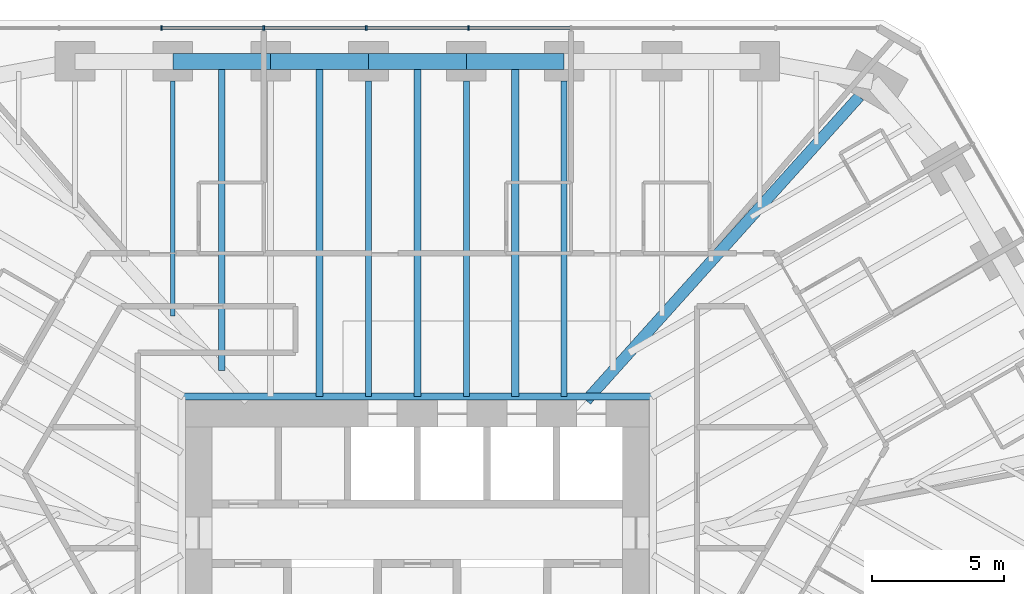
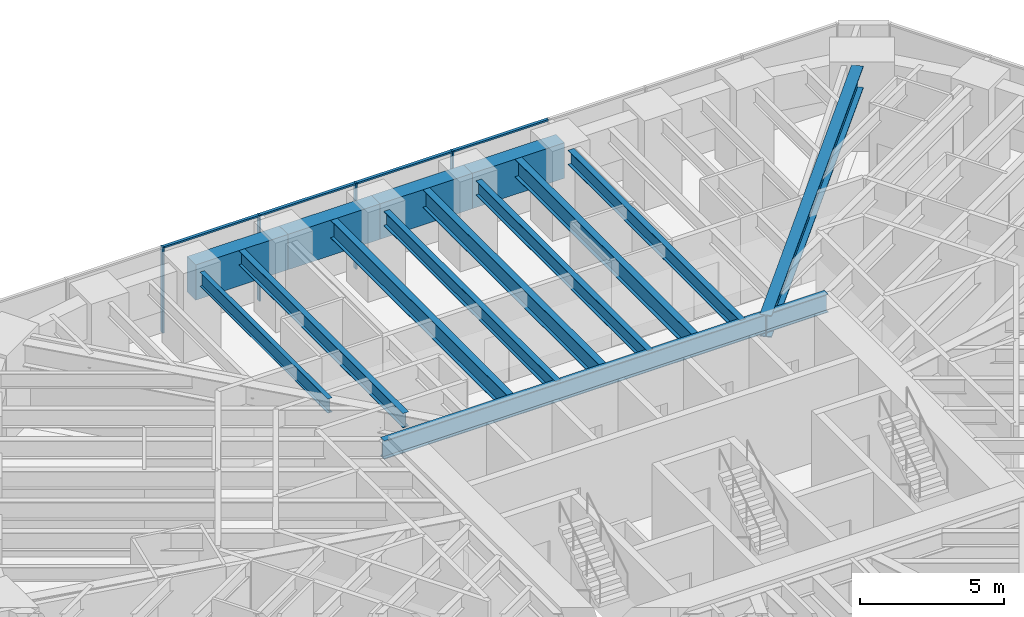
# One storey, part 8 of 17: 14 beams, 8 members, 1 element without a shape of its own.
"""IFC4 building model written with IfcOpenShell, lengths in metres."""

from ifc_helpers import new_model, si_unit, direction, frame, origin, origin_2d, place, context, subcontext, project, spatial, rectangle, i_section, extrude, material, material_profile, profile_set, type_object, element, aggregate, save


model = new_model("IFC4")

# Units and contexts
model_context = context("Model", 3, precision=1e-05, world=origin(), true_north=direction((0.0, 1.0)))
body_context = subcontext(model_context, "Body", "Model", "MODEL_VIEW")
ifc_project = project(units=[si_unit("LENGTHUNIT", "METRE"), si_unit("AREAUNIT", "SQUARE_METRE"), si_unit("VOLUMEUNIT", "CUBIC_METRE"), si_unit("PLANEANGLEUNIT", "RADIAN"), si_unit("MASSUNIT", "GRAM", prefix="KILO")], contexts=[model_context])

# Site, building, storey
site_placement = place(None, origin())
site = spatial("IfcSite", under=ifc_project, at=site_placement, CompositionType="ELEMENT")
building_placement = place(site_placement, origin())
building = spatial("IfcBuilding", under=site, at=building_placement, Name="Sandreach Pilgrim Tower", CompositionType="ELEMENT")
storey_placement = place(building_placement, frame((0.0, 0.0, 213.60009765625)))
storey = spatial("IfcBuildingStorey", under=building, at=storey_placement, Name="L53", CompositionType="ELEMENT", Elevation=213.60009765625)

# Curtain wall, members
ifc_material_1 = material(Name="Aluminium framed curtain wall", Category="aluminium")
curtain_wall_type = type_object("IfcCurtainWallType", Name="Upper hotel tower curtain wall", PredefinedType="NOTDEFINED", material=ifc_material_1)
curtain_wall_placement = place(storey_placement, origin())
curtain_wall = element("IfcCurtainWall", 1, at=curtain_wall_placement, inside=storey, type_object=curtain_wall_type, Name="CW-3 L53 N", PredefinedType="NOTDEFINED")
ifc_material_2 = material(Name="Aluminium extrusion", Category="aluminium")
ifc_material_profile_1 = material_profile(ifc_material_2, rectangle(XDim=0.06494140625, YDim=0.159912109375, at=origin_2d()), Name="CW-3M 65X160")
ifc_profile_set_1 = profile_set([ifc_material_profile_1], Name="Aluminium extrusion")
member_type_1 = type_object("IfcMemberType", Name="CW-3 mullion", PredefinedType="MULLION", material=ifc_profile_set_1)
member_1_placement = place(storey_placement, frame((-9.6611328125, 21.16015625, 0.0), z_axis=(0.0, 0.0, 1.0), x_axis=(1.0, 0.0, 0.0)))
member_1 = element("IfcMember", 2, at=member_1_placement, type_object=member_type_1, Name="CW-3 mullion 3", PredefinedType="MULLION", context=body_context, shape_type="SweptSolid", body=[
    extrude(rectangle(XDim=0.06494140625, YDim=0.159912109375, at=origin_2d()), origin(), (0.0, 0.0, 1.0), 3.639892578125),
])
member_2_placement = place(storey_placement, frame((-5.796630859375, 21.16015625, 0.0), z_axis=(0.0, 0.0, 1.0), x_axis=(1.0, 0.0, 0.0)))
member_2 = element("IfcMember", 3, at=member_2_placement, type_object=member_type_1, Name="CW-3 mullion 4", PredefinedType="MULLION", context=body_context, shape_type="SweptSolid", body=[
    extrude(rectangle(XDim=0.06494140625, YDim=0.159912109375, at=origin_2d()), origin(), (0.0, 0.0, 1.0), 3.639892578125),
])
member_3_placement = place(storey_placement, frame((-1.93212890625, 21.16015625, 0.0), z_axis=(0.0, 0.0, 1.0), x_axis=(1.0, 0.0, 0.0)))
member_3 = element("IfcMember", 4, at=member_3_placement, type_object=member_type_1, Name="CW-3 mullion 5", PredefinedType="MULLION", context=body_context, shape_type="SweptSolid", body=[
    extrude(rectangle(XDim=0.06494140625, YDim=0.159912109375, at=origin_2d()), origin(), (0.0, 0.0, 1.0), 3.639892578125),
])
member_4_placement = place(storey_placement, frame((1.93212890625, 21.16015625, 0.0), z_axis=(0.0, 0.0, 1.0), x_axis=(1.0, 0.0, 0.0)))
member_4 = element("IfcMember", 5, at=member_4_placement, type_object=member_type_1, Name="CW-3 mullion 6", PredefinedType="MULLION", context=body_context, shape_type="SweptSolid", body=[
    extrude(rectangle(XDim=0.06494140625, YDim=0.159912109375, at=origin_2d()), origin(), (0.0, 0.0, 1.0), 3.639892578125),
])
ifc_material_3 = material(Name="Aluminium extrusion", Category="aluminium")
ifc_material_profile_2 = material_profile(ifc_material_3, rectangle(XDim=0.1201171875, YDim=0.070068359375, at=origin_2d()), Name="CW-3T 120X70")
ifc_profile_set_2 = profile_set([ifc_material_profile_2], Name="Aluminium extrusion")
member_type_2 = type_object("IfcMemberType", Name="CW-3 transom", PredefinedType="USERDEFINED", material=ifc_profile_set_2)
member_5_placement = place(storey_placement, frame((-9.628662109375, 21.16015625, 3.60498046875), z_axis=(1.0, 0.0, 0.0), x_axis=(0.0, 1.0, 0.0)))
member_5 = element("IfcMember", 6, at=member_5_placement, type_object=member_type_2, Name="CW-3 head transom 3", ObjectType="TRANSOM", PredefinedType="USERDEFINED", context=body_context, shape_type="SweptSolid", body=[
    extrude(rectangle(XDim=0.1201171875, YDim=0.070068359375, at=origin_2d()), origin(), (0.0, 0.0, 1.0), 3.799560546875),
])
member_6_placement = place(storey_placement, frame((-5.76416015625, 21.16015625, 3.60498046875), z_axis=(1.0, 0.0, 0.0), x_axis=(0.0, 1.0, 0.0)))
member_6 = element("IfcMember", 7, at=member_6_placement, type_object=member_type_2, Name="CW-3 head transom 4", ObjectType="TRANSOM", PredefinedType="USERDEFINED", context=body_context, shape_type="SweptSolid", body=[
    extrude(rectangle(XDim=0.1201171875, YDim=0.070068359375, at=origin_2d()), origin(), (0.0, 0.0, 1.0), 3.799560546875),
])
member_7_placement = place(storey_placement, frame((-1.899658203125, 21.16015625, 3.60498046875), z_axis=(1.0, 0.0, 0.0), x_axis=(0.0, 1.0, 0.0)))
member_7 = element("IfcMember", 8, at=member_7_placement, type_object=member_type_2, Name="CW-3 head transom 5", ObjectType="TRANSOM", PredefinedType="USERDEFINED", context=body_context, shape_type="SweptSolid", body=[
    extrude(rectangle(XDim=0.1201171875, YDim=0.070068359375, at=origin_2d()), origin(), (0.0, 0.0, 1.0), 3.79931640625),
])
member_8_placement = place(storey_placement, frame((1.964599609375, 21.16015625, 3.60498046875), z_axis=(1.0, 0.0, 0.0), x_axis=(0.0, 1.0, 0.0)))
member_8 = element("IfcMember", 9, at=member_8_placement, type_object=member_type_2, Name="CW-3 head transom 6", ObjectType="TRANSOM", PredefinedType="USERDEFINED", context=body_context, shape_type="SweptSolid", body=[
    extrude(rectangle(XDim=0.1201171875, YDim=0.070068359375, at=origin_2d()), origin(), (0.0, 0.0, 1.0), 3.799560546875),
])
aggregate(curtain_wall, [member_1, member_2, member_3, member_4, member_5, member_6, member_7, member_8])

# Beams
ifc_material_4 = material(Name="Steel ASTM A992 Grade 50", Category="steel")
ifc_material_profile_3 = material_profile(ifc_material_4, i_section(OverallWidth=0.2666015625, OverallDepth=0.77978515625, WebThickness=0.0166015625, FlangeThickness=0.030029296875, at=origin_2d()), Name="W30X148")
ifc_profile_set_3 = profile_set([ifc_material_profile_3], Name="Steel ASTM A992 Grade 50")
beam_type_1 = type_object("IfcBeamType", Name="Core edge beam W30X148", PredefinedType="BEAM", material=ifc_profile_set_3)
beam_1_placement = place(storey_placement, frame((-8.893310546875, 7.243408203125, 3.25), z_axis=(1.0, 0.0, 0.0), x_axis=(0.0, 1.0, 0.0)))
element("IfcBeam", 10, at=beam_1_placement, inside=storey, type_object=beam_type_1, Name="BM L53 CEN", PredefinedType="BEAM", context=body_context, shape_type="SweptSolid", body=[
    extrude(i_section(OverallWidth=0.2666015625, OverallDepth=0.77978515625, WebThickness=0.0166015625, FlangeThickness=0.030029296875, at=origin_2d()), origin(), (0.0, 0.0, 1.0), 17.78662109375),
])
ifc_material_5 = material(Name="Steel ASTM A992 Grade 50", Category="steel")
ifc_material_profile_4 = material_profile(ifc_material_5, i_section(OverallWidth=0.421630859375, OverallDepth=0.937255859375, WebThickness=0.0224609375, FlangeThickness=0.039794921875, at=origin_2d()), Name="W36X282")
ifc_profile_set_4 = profile_set([ifc_material_profile_4], Name="Steel ASTM A992 Grade 50")
beam_type_2 = type_object("IfcBeamType", Name="Corner girder W36X282", PredefinedType="BEAM", material=ifc_profile_set_4)
beam_2_placement = place(storey_placement, frame((16.677001953125, 18.572509765625, 3.17138671875), z_axis=(-0.668116607722, -0.744056582853, 0.0), x_axis=(0.744056582853, -0.668116607722, 0.0)))
element("IfcBeam", 11, at=beam_2_placement, inside=storey, type_object=beam_type_2, Name="BM L53 CG09", PredefinedType="BEAM", context=body_context, shape_type="SweptSolid", body=[
    extrude(i_section(OverallWidth=0.421630859375, OverallDepth=0.937255859375, WebThickness=0.0224609375, FlangeThickness=0.039794921875, at=origin_2d()), origin(), (0.0, 0.0, 1.0), 15.418701171875),
])
ifc_material_6 = material(Name="Steel ASTM A992 Grade 50", Category="steel")
ifc_material_profile_5 = material_profile(ifc_material_6, i_section(OverallWidth=0.1787109375, OverallDepth=0.60205078125, WebThickness=0.010986328125, FlangeThickness=0.014892578125, at=origin_2d()), Name="W24X62")
ifc_profile_set_5 = profile_set([ifc_material_profile_5], Name="Steel ASTM A992 Grade 50")
beam_type_3 = type_object("IfcBeamType", Name="Floor beam W24X62", PredefinedType="BEAM", material=ifc_profile_set_5)
beam_3_placement = place(storey_placement, frame((-9.231201171875, 19.150146484375, 3.3388671875), z_axis=(0.0, -1.0, 0.0), x_axis=(1.0, 0.0, 0.0)))
element("IfcBeam", 12, at=beam_3_placement, inside=storey, type_object=beam_type_3, Name="BM L53 F02", PredefinedType="BEAM", context=body_context, shape_type="SweptSolid", body=[
    extrude(i_section(OverallWidth=0.1787109375, OverallDepth=0.60205078125, WebThickness=0.010986328125, FlangeThickness=0.014892578125, at=origin_2d()), origin(), (0.0, 0.0, 1.0), 8.86962890625),
])
ifc_material_7 = material(Name="Steel ASTM A992 Grade 50", Category="steel")
ifc_material_profile_6 = material_profile(ifc_material_7, i_section(OverallWidth=0.23046875, OverallDepth=0.6171875, WebThickness=0.01318359375, FlangeThickness=0.022216796875, at=origin_2d()), Name="W24X94")
ifc_profile_set_6 = profile_set([ifc_material_profile_6], Name="Steel ASTM A992 Grade 50")
beam_type_4 = type_object("IfcBeamType", Name="Floor beam W24X94", PredefinedType="BEAM", material=ifc_profile_set_6)
for number, where, z_axis, x_axis, name in (
    (13, (-1.84619140625, 19.150146484375, 3.331298828125), (0.0, -1.0, 0.0), (1.0, 0.0, 0.0), "BM L53 F04"),
    (14, (1.84619140625, 19.150146484375, 3.331298828125), (0.0, -1.0, 0.0), (1.0, 0.0, 0.0), "BM L53 F05"),
    (15, (5.538818359375, 19.150146484375, 3.331298828125), (0.0, -1.0, 0.0), (1.0, 0.0, 0.0), "BM L53 F06"),
):
    element("IfcBeam", number, at=place(storey_placement, frame(where, z_axis=z_axis, x_axis=x_axis)), inside=storey, type_object=beam_type_4, Name=name, PredefinedType="BEAM", context=body_context, shape_type="SweptSolid", body=[
        extrude(i_section(OverallWidth=0.23046875, OverallDepth=0.6171875, WebThickness=0.01318359375, FlangeThickness=0.022216796875, at=origin_2d()), origin(), (0.0, 0.0, 1.0), 11.90673828125),
    ])
beam_4_placement = place(storey_placement, frame((-7.385009765625, 19.900146484375, 3.331298828125), z_axis=(0.0, -1.0, 0.0), x_axis=(1.0, 0.0, 0.0)))
element("IfcBeam", 16, at=beam_4_placement, inside=storey, type_object=beam_type_4, Name="BM L53 FM02", PredefinedType="BEAM", context=body_context, shape_type="SweptSolid", body=[
    extrude(i_section(OverallWidth=0.23046875, OverallDepth=0.6171875, WebThickness=0.01318359375, FlangeThickness=0.022216796875, at=origin_2d()), origin(), (0.0, 0.0, 1.0), 11.67578125),
])
ifc_material_8 = material(Name="Steel ASTM A992 Grade 50", Category="steel")
ifc_material_profile_7 = material_profile(ifc_material_8, i_section(OverallWidth=0.2666015625, OverallDepth=0.761962890625, WebThickness=0.014404296875, FlangeThickness=0.021484375, at=origin_2d()), Name="W30X116")
ifc_profile_set_7 = profile_set([ifc_material_profile_7], Name="Steel ASTM A992 Grade 50")
beam_type_5 = type_object("IfcBeamType", Name="Floor beam W30X116", PredefinedType="BEAM", material=ifc_profile_set_7)
for number, where, z_axis, x_axis, name in (
    (17, (-3.6923828125, 19.900146484375, 3.2587890625), (0.0, -1.0, 0.0), (1.0, 0.0, 0.0), "BM L53 FM03"),
    (18, (0.0, 19.900146484375, 3.2587890625), (0.0, -1.0, 0.0), (1.0, 0.0, 0.0), "BM L53 FM04"),
    (19, (3.6923828125, 19.900146484375, 3.2587890625), (0.0, -1.0, 0.0), (1.0, 0.0, 0.0), "BM L53 FM05"),
):
    element("IfcBeam", number, at=place(storey_placement, frame(where, z_axis=z_axis, x_axis=x_axis)), inside=storey, type_object=beam_type_5, Name=name, PredefinedType="BEAM", context=body_context, shape_type="SweptSolid", body=[
        extrude(i_section(OverallWidth=0.2666015625, OverallDepth=0.761962890625, WebThickness=0.014404296875, FlangeThickness=0.021484375, at=origin_2d()), origin(), (0.0, 0.0, 1.0), 12.65673828125),
    ])
ifc_material_9 = material(Name="Concrete 10000 psi", Category="concrete")
ifc_material_profile_8 = material_profile(ifc_material_9, rectangle(XDim=0.60009765625, YDim=1.5, at=origin_2d()), Name="RC600X1500")
ifc_profile_set_8 = profile_set([ifc_material_profile_8], Name="Concrete 10000 psi")
beam_type_6 = type_object("IfcBeamType", Name="Spandrel beam RC600X1500", PredefinedType="SPANDREL", material=ifc_profile_set_8)
beam_5_placement = place(storey_placement, frame((-9.231201171875, 19.900146484375, 2.889892578125), z_axis=(1.0, 0.0, 0.0), x_axis=(0.0, 1.0, 0.0)))
element("IfcBeam", 20, at=beam_5_placement, inside=storey, type_object=beam_type_6, Name="BM L53 SP02", PredefinedType="SPANDREL", context=body_context, shape_type="SweptSolid", body=[
    extrude(rectangle(XDim=0.60009765625, YDim=1.5, at=origin_2d()), origin(), (0.0, 0.0, 1.0), 3.6923828125),
])
beam_6_placement = place(storey_placement, frame((-5.538818359375, 19.900146484375, 2.889892578125), z_axis=(1.0, 0.0, 0.0), x_axis=(0.0, 1.0, 0.0)))
element("IfcBeam", 21, at=beam_6_placement, inside=storey, type_object=beam_type_6, Name="BM L53 SP03", PredefinedType="SPANDREL", context=body_context, shape_type="SweptSolid", body=[
    extrude(rectangle(XDim=0.60009765625, YDim=1.5, at=origin_2d()), origin(), (0.0, 0.0, 1.0), 3.692626953125),
])
beam_7_placement = place(storey_placement, frame((-1.84619140625, 19.900146484375, 2.889892578125), z_axis=(1.0, 0.0, 0.0), x_axis=(0.0, 1.0, 0.0)))
element("IfcBeam", 22, at=beam_7_placement, inside=storey, type_object=beam_type_6, Name="BM L53 SP04", PredefinedType="SPANDREL", context=body_context, shape_type="SweptSolid", body=[
    extrude(rectangle(XDim=0.60009765625, YDim=1.5, at=origin_2d()), origin(), (0.0, 0.0, 1.0), 3.6923828125),
])
beam_8_placement = place(storey_placement, frame((1.84619140625, 19.900146484375, 2.889892578125), z_axis=(1.0, 0.0, 0.0), x_axis=(0.0, 1.0, 0.0)))
element("IfcBeam", 23, at=beam_8_placement, inside=storey, type_object=beam_type_6, Name="BM L53 SP05", PredefinedType="SPANDREL", context=body_context, shape_type="SweptSolid", body=[
    extrude(rectangle(XDim=0.60009765625, YDim=1.5, at=origin_2d()), origin(), (0.0, 0.0, 1.0), 3.692626953125),
])

save(model, "model.ifc")
